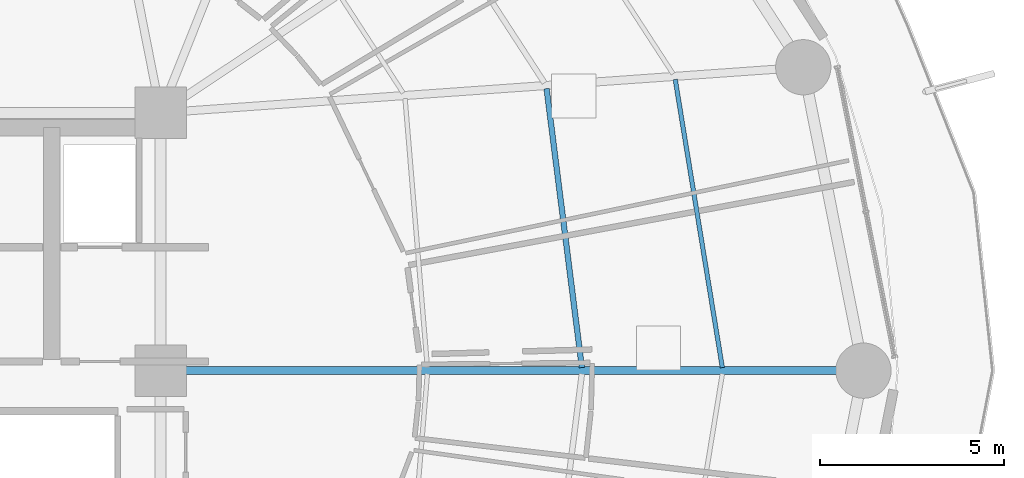
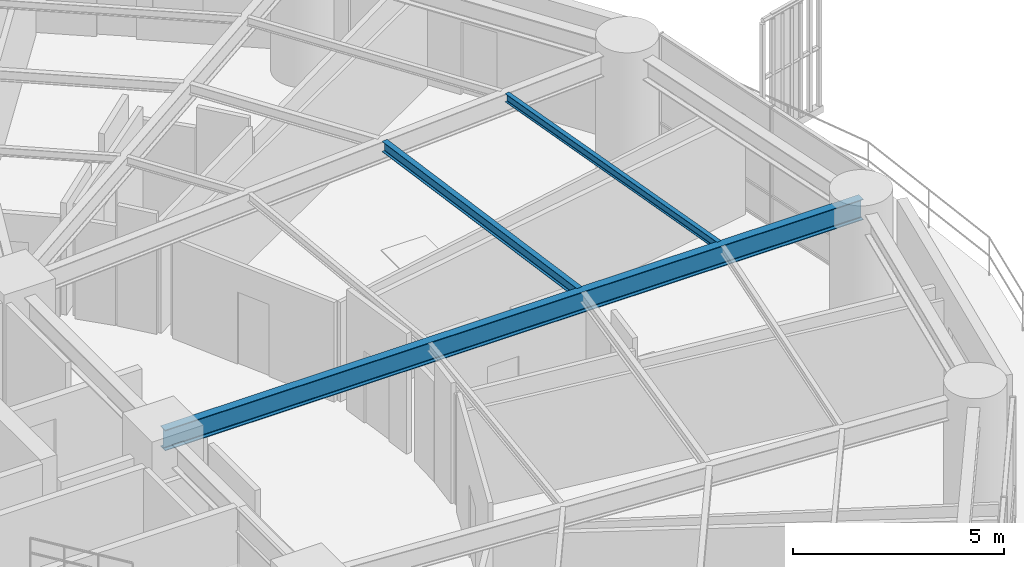
# One storey, part 13 of 33: 3 beams.
"""IFC4 building model written with IfcOpenShell, lengths in metres."""

from ifc_helpers import new_model, si_unit, direction, frame, origin, origin_2d, place, context, subcontext, project, spatial, i_section, extrude, material, material_profile, profile_set, type_object, element, save


model = new_model("IFC4")

# Units and contexts
model_context = context("Model", 3, precision=1e-05, world=origin(), true_north=direction((0.0, 1.0)))
body_context = subcontext(model_context, "Body", "Model", "MODEL_VIEW")
ifc_project = project(units=[si_unit("LENGTHUNIT", "METRE"), si_unit("AREAUNIT", "SQUARE_METRE"), si_unit("VOLUMEUNIT", "CUBIC_METRE"), si_unit("PLANEANGLEUNIT", "RADIAN"), si_unit("MASSUNIT", "GRAM", prefix="KILO")], contexts=[model_context])

# Site, building, storey
site_placement = place(None, origin())
site = spatial("IfcSite", under=ifc_project, at=site_placement, CompositionType="ELEMENT")
building_placement = place(site_placement, origin())
building = spatial("IfcBuilding", under=site, at=building_placement, Name="Kelanora Arch Commons", CompositionType="ELEMENT")
storey_placement = place(building_placement, frame((0.0, 0.0, 37.5)))
storey = spatial("IfcBuildingStorey", under=building, at=storey_placement, Name="L09", CompositionType="ELEMENT", Elevation=37.5)

# Beams
ifc_material = material(Name="Steel S355", Category="steel")
ifc_material_profile_1 = material_profile(ifc_material, i_section(OverallWidth=0.14990234375, OverallDepth=0.300048828125, WebThickness=0.007080078125, FlangeThickness=0.0107421875, FilletRadius=0.014892578125, at=origin_2d()), Name="IPE300")
ifc_profile_set_1 = profile_set([ifc_material_profile_1], Name="Steel S355")
beam_type_1 = type_object("IfcBeamType", Name="BM-JST-01", PredefinedType="JOIST", material=ifc_profile_set_1)
beam_1_placement = place(storey_placement, frame((93.437255859375, 58.084228515625, 3.340087890625), z_axis=(-0.125565841651, 0.992085288375, 0.0), x_axis=(-0.992085288375, -0.125565841651, 0.0)))
element("IfcBeam", 1, at=beam_1_placement, inside=storey, type_object=beam_type_1, Name="Secondary Chord Joist BJB-00 L09", PredefinedType="JOIST", context=body_context, shape_type="SweptSolid", body=[
    extrude(i_section(OverallWidth=0.14990234375, OverallDepth=0.300048828125, WebThickness=0.007080078125, FlangeThickness=0.0107421875, FilletRadius=0.014892578125, at=origin_2d()), origin(), (0.0, 0.0, 1.0), 7.63330078125),
])
ifc_material_profile_2 = material_profile(ifc_material, i_section(OverallWidth=0.1201171875, OverallDepth=0.239990234375, WebThickness=0.006103515625, FlangeThickness=0.009765625, FilletRadius=0.014892578125, at=origin_2d()), Name="IPE240")
ifc_profile_set_2 = profile_set([ifc_material_profile_2], Name="Steel S355")
beam_type_2 = type_object("IfcBeamType", Name="BM-JST-02", PredefinedType="JOIST", material=ifc_profile_set_2)
beam_2_placement = place(storey_placement, frame((97.250244140625, 58.083984375, 3.3701171875), z_axis=(-0.161400737199, 0.986888951216, 0.0), x_axis=(-0.986888951216, -0.161400737199, 0.0)))
element("IfcBeam", 2, at=beam_2_placement, inside=storey, type_object=beam_type_2, Name="Secondary Chord Joist BJC-00 L09", PredefinedType="JOIST", context=body_context, shape_type="SweptSolid", body=[
    extrude(i_section(OverallWidth=0.1201171875, OverallDepth=0.239990234375, WebThickness=0.006103515625, FlangeThickness=0.009765625, FilletRadius=0.014892578125, at=origin_2d()), origin(), (0.0, 0.0, 1.0), 7.9248046875),
])
ifc_material_profile_3 = material_profile(ifc_material, i_section(OverallWidth=0.219970703125, OverallDepth=0.60009765625, WebThickness=0.011962890625, FlangeThickness=0.01904296875, FilletRadius=0.02392578125, at=origin_2d()), Name="IPE600")
ifc_profile_set_3 = profile_set([ifc_material_profile_3], Name="Steel S355")
beam_type_3 = type_object("IfcBeamType", Name="BM-RAD-Z1", PredefinedType="BEAM", material=ifc_profile_set_3)
beam_3_placement = place(storey_placement, frame((82.0, 58.0, 3.18994140625), z_axis=(1.0, 0.0, 0.0), x_axis=(0.0, 1.0, 0.0)))
element("IfcBeam", 3, at=beam_3_placement, inside=storey, type_object=beam_type_3, Name="Radial Floor Girder BR-00 L09", PredefinedType="BEAM", context=body_context, shape_type="SweptSolid", body=[
    extrude(i_section(OverallWidth=0.219970703125, OverallDepth=0.60009765625, WebThickness=0.011962890625, FlangeThickness=0.01904296875, FilletRadius=0.02392578125, at=origin_2d()), origin(), (0.0, 0.0, 1.0), 19.080078125),
])

save(model, "model.ifc")
